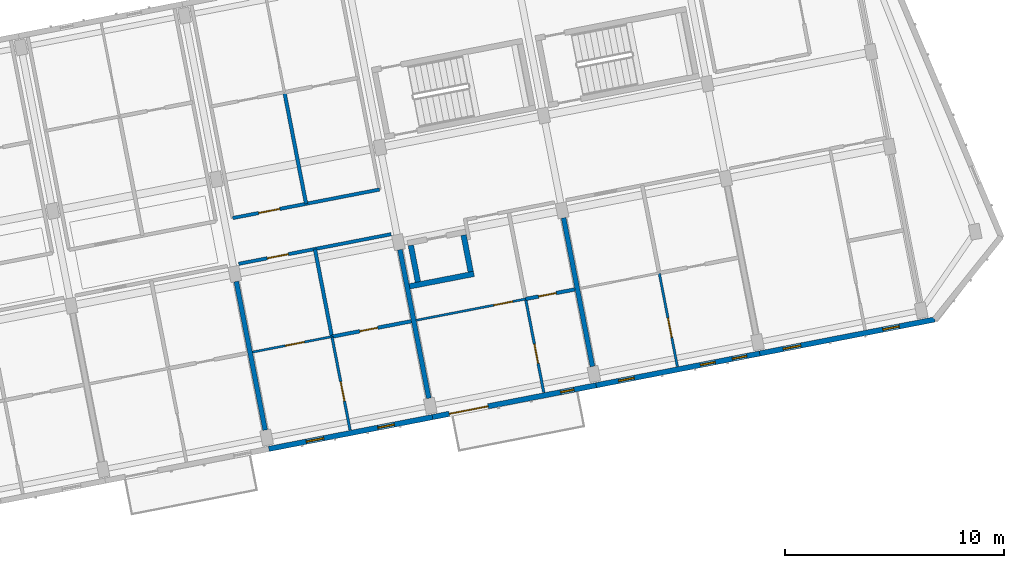
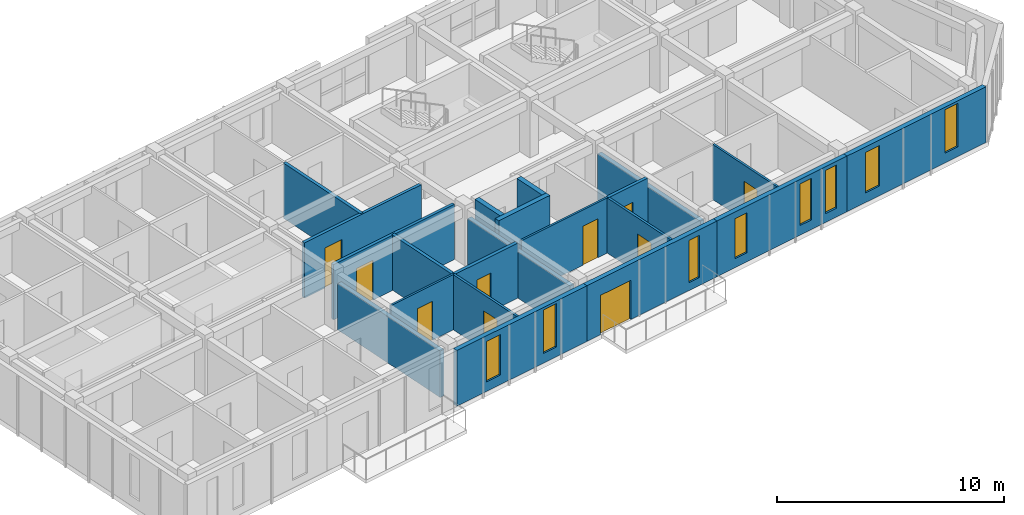
# One storey, part 31 of 74: 21 walls, 10 doors, 8 windows, 18 openings.
"""IFC4 building model written with IfcOpenShell, lengths in metres."""

from ifc_helpers import new_model, si_unit, direction, frame, frame_2d, origin, place, context, subcontext, project, spatial, rectangle, extrude, material, layer, layer_set, type_object, element, fill, save


model = new_model("IFC4")

# Units and contexts
model_context = context("Model", 3, precision=1e-05, world=origin(), true_north=direction((0.0, 1.0)))
body_context = subcontext(model_context, "Body", "Model", "MODEL_VIEW")
ifc_project = project(units=[si_unit("LENGTHUNIT", "METRE"), si_unit("AREAUNIT", "SQUARE_METRE"), si_unit("VOLUMEUNIT", "CUBIC_METRE"), si_unit("PLANEANGLEUNIT", "RADIAN"), si_unit("MASSUNIT", "GRAM", prefix="KILO")], contexts=[model_context])

# Site, building, storey
site_placement = place(None, origin())
site = spatial("IfcSite", under=ifc_project, at=site_placement, CompositionType="ELEMENT")
building_placement = place(site_placement, origin())
building = spatial("IfcBuilding", under=site, at=building_placement, Name="Kestramere Prow Commons", CompositionType="ELEMENT")
storey_placement = place(building_placement, frame((0.0, 0.0, 11.64990234375)))
storey = spatial("IfcBuildingStorey", under=building, at=storey_placement, Name="L03", CompositionType="ELEMENT", Elevation=11.64990234375)

# Wall, openings, windows
ifc_material_1 = material(Name="Fluoropolymer Standing-Seam Zinc-Aluminium Cladding", Category="aluminium")
ifc_layer_1 = layer(ifc_material_1, 0.239990234375)
ifc_layer_set_1 = layer_set([ifc_layer_1], Name="Fluoropolymer Standing-Seam Zinc-Aluminium Cladding")
wall_type_1 = type_object("IfcWallType", Name="EW-SEAM-240", PredefinedType="SOLIDWALL", material=ifc_layer_set_1)
wall_1_placement = place(storey_placement, frame((140.88134765625, 37.835205078125, 0.0), z_axis=(0.0, 0.0, 1.0), x_axis=(-0.981626422232, -0.190812911449, 0.0)))
wall_1 = element("IfcWall", 1, at=wall_1_placement, inside=storey, type_object=wall_type_1, Name="Block D L03 South Standing-Seam Wall 3", PredefinedType="SOLIDWALL", context=body_context, shape_type="SweptSolid", body=[
    extrude(rectangle(XDim=7.60009765625, YDim=0.239990234375, at=frame_2d((3.800048828125, 0.0))), origin(), (0.0, 0.0, 1.0), 3.0),
])
opening_1_placement = place(wall_1_placement, frame((1.781494140625, 0.0, 0.52001953125)))
opening_1 = element("IfcOpeningElement", 2, at=opening_1_placement, cuts=wall_1, Name="Opening WN-10", PredefinedType="OPENING", context=body_context, shape_type="SweptSolid", body=[
    extrude(rectangle(XDim=0.760009765625, YDim=2.340087890625, at=frame_2d((0.3798828125, 1.169921875))), frame((0.0, 0.135009765625, 0.0), z_axis=(0.0, -1.0, 0.0), x_axis=(1.0, 0.0, 0.0)), (0.0, 0.0, 1.0), 0.27001953125),
])
opening_2_placement = place(wall_1_placement, frame((5.047607421875, 0.0, 0.52001953125)))
opening_2 = element("IfcOpeningElement", 3, at=opening_2_placement, cuts=wall_1, Name="Opening WN-13", PredefinedType="OPENING", context=body_context, shape_type="SweptSolid", body=[
    extrude(rectangle(XDim=0.820068359375, YDim=2.179931640625, at=frame_2d((0.41015625, 1.08984375))), frame((0.0, 0.135009765625, 0.0), z_axis=(0.0, -1.0, 0.0), x_axis=(1.0, 0.0, 0.0)), (0.0, 0.0, 1.0), 0.27001953125),
])
ifc_material_2 = material(Name="Low-E Laminated Double Glazing", Category="glass")
window_type_1 = type_object("IfcWindowType", Name="WN-NAR-760A", PartitioningType="SINGLE_PANEL", PredefinedType="WINDOW", material=ifc_material_2)
window_1_placement = place(opening_1_placement, origin())
window_1 = element("IfcWindow", 4, at=window_1_placement, inside=storey, type_object=window_type_1, Name="WN-D-L03-S-2-00", OverallHeight=2.340087890625, OverallWidth=0.760009765625, PartitioningType="SINGLE_PANEL", PredefinedType="WINDOW", context=body_context, shape_type="SweptSolid", body=[
    extrude(rectangle(XDim=0.760009765625, YDim=2.340087890625, at=frame_2d((0.3798828125, 1.169921875))), frame((0.0, 0.030029296875, 0.0), z_axis=(0.0, -1.0, 0.0), x_axis=(1.0, 0.0, 0.0)), (0.0, 0.0, 1.0), 0.06005859375),
])
fill(opening_1, window_1)
window_type_2 = type_object("IfcWindowType", Name="WN-NAR-820A", PartitioningType="DOUBLE_PANEL_VERTICAL", PredefinedType="WINDOW", material=ifc_material_2)
window_2_placement = place(opening_2_placement, origin())
window_2 = element("IfcWindow", 5, at=window_2_placement, inside=storey, type_object=window_type_2, Name="WN-D-L03-S-2-10", OverallHeight=2.179931640625, OverallWidth=0.820068359375, PartitioningType="SINGLE_PANEL", PredefinedType="WINDOW", context=body_context, shape_type="SweptSolid", body=[
    extrude(rectangle(XDim=0.820068359375, YDim=2.179931640625, at=frame_2d((0.41015625, 1.08984375))), frame((0.0, 0.030029296875, 0.0), z_axis=(0.0, -1.0, 0.0), x_axis=(1.0, 0.0, 0.0)), (0.0, 0.0, 1.0), 0.06005859375),
])
fill(opening_2, window_2)

# Wall, openings, door, window
wall_2_placement = place(storey_placement, frame((148.341552734375, 39.28515625, 0.0), z_axis=(0.0, 0.0, 1.0), x_axis=(-0.981631269434, -0.190787973596, 0.0)))
wall_2 = element("IfcWall", 6, at=wall_2_placement, inside=storey, type_object=wall_type_1, Name="Block D L03 South Standing-Seam Wall 4", PredefinedType="SOLIDWALL", context=body_context, shape_type="SweptSolid", body=[
    extrude(rectangle(XDim=7.599853515625, YDim=0.239990234375, at=frame_2d((3.7998046875, 0.0))), origin(), (0.0, 0.0, 1.0), 3.0),
])
opening_3_placement = place(wall_2_placement, frame((5.01904296875, 0.0, 0.0)))
opening_3 = element("IfcOpeningElement", 7, at=opening_3_placement, cuts=wall_2, Name="Opening GD-BAL-02", PredefinedType="OPENING", context=body_context, shape_type="SweptSolid", body=[
    extrude(rectangle(XDim=1.800048828125, YDim=2.1201171875, at=frame_2d((0.89990234375, 1.06005859375))), frame((0.0, 0.135009765625, 0.0), z_axis=(0.0, -1.0, 0.0), x_axis=(1.0, 0.0, 0.0)), (0.0, 0.0, 1.0), 0.27001953125),
])
opening_4_placement = place(wall_2_placement, frame((1.030029296875, 0.0, 0.419921875)))
opening_4 = element("IfcOpeningElement", 8, at=opening_4_placement, cuts=wall_2, Name="Opening WN-03", PredefinedType="OPENING", context=body_context, shape_type="SweptSolid", body=[
    extrude(rectangle(XDim=0.6201171875, YDim=2.280029296875, at=frame_2d((0.31005859375, 1.14013671875))), frame((0.0, 0.135009765625, 0.0), z_axis=(0.0, -1.0, 0.0), x_axis=(1.0, 0.0, 0.0)), (0.0, 0.0, 1.0), 0.27001953125),
])
ifc_material_3 = material(Name="Thermally-Broken Anodised Aluminium Glazed", Category="aluminium")
door_type_1 = type_object("IfcDoorType", Name="GD-BAL-1800", OperationType="SLIDING_TO_LEFT", PredefinedType="DOOR", material=ifc_material_3)
door_1_placement = place(opening_3_placement, origin())
door_1 = element("IfcDoor", 9, at=door_1_placement, inside=storey, type_object=door_type_1, Name="Block D L03 Balcony Door 4", OperationType="SLIDING_TO_LEFT", OverallHeight=2.1201171875, OverallWidth=1.800048828125, PredefinedType="DOOR", context=body_context, shape_type="SweptSolid", body=[
    extrude(rectangle(XDim=1.800048828125, YDim=2.1201171875, at=frame_2d((0.89990234375, 1.06005859375))), frame((0.0, 0.02490234375, 0.0), z_axis=(0.0, -1.0, 0.0), x_axis=(1.0, 0.0, 0.0)), (0.0, 0.0, 1.0), 0.050048828125),
])
fill(opening_3, door_1)
window_type_3 = type_object("IfcWindowType", Name="WN-NAR-620A", PartitioningType="SINGLE_PANEL", PredefinedType="WINDOW", material=ifc_material_2)
window_3_placement = place(opening_4_placement, origin())
window_3 = element("IfcWindow", 10, at=window_3_placement, inside=storey, type_object=window_type_3, Name="WN-D-L03-SR-3", OverallHeight=2.280029296875, OverallWidth=0.6201171875, PartitioningType="SINGLE_PANEL", PredefinedType="WINDOW", context=body_context, shape_type="SweptSolid", body=[
    extrude(rectangle(XDim=0.6201171875, YDim=2.280029296875, at=frame_2d((0.31005859375, 1.14013671875))), frame((0.0, 0.030029296875, 0.0), z_axis=(0.0, -1.0, 0.0), x_axis=(1.0, 0.0, 0.0)), (0.0, 0.0, 1.0), 0.06005859375),
])
fill(opening_4, window_3)

# Wall, openings, windows
wall_3_placement = place(storey_placement, frame((155.802001953125, 40.7353515625, 0.0), z_axis=(0.0, 0.0, 1.0), x_axis=(-0.981626422232, -0.190812911449, 0.0)))
wall_3 = element("IfcWall", 11, at=wall_3_placement, inside=storey, type_object=wall_type_1, Name="Block D L03 South Standing-Seam Wall 5", PredefinedType="SOLIDWALL", context=body_context, shape_type="SweptSolid", body=[
    extrude(rectangle(XDim=7.60009765625, YDim=0.239990234375, at=frame_2d((3.800048828125, 0.0))), origin(), (0.0, 0.0, 1.0), 3.0),
])
opening_5_placement = place(wall_3_placement, frame((0.610107421875, 0.0, 0.47998046875)))
opening_5 = element("IfcOpeningElement", 12, at=opening_5_placement, cuts=wall_3, Name="Opening WN-05", PredefinedType="OPENING", context=body_context, shape_type="SweptSolid", body=[
    extrude(rectangle(XDim=0.659912109375, YDim=2.320068359375, at=frame_2d((0.330078125, 1.16015625))), frame((0.0, 0.135009765625, 0.0), z_axis=(0.0, -1.0, 0.0), x_axis=(1.0, 0.0, 0.0)), (0.0, 0.0, 1.0), 0.27001953125),
])
opening_6_placement = place(wall_3_placement, frame((2.072021484375, 0.0, 0.52001953125)))
opening_6 = element("IfcOpeningElement", 13, at=opening_6_placement, cuts=wall_3, Name="Opening WN-06", PredefinedType="OPENING", context=body_context, shape_type="SweptSolid", body=[
    extrude(rectangle(XDim=0.679931640625, YDim=2.239990234375, at=frame_2d((0.33984375, 1.1201171875))), frame((0.0, 0.135009765625, 0.0), z_axis=(0.0, -1.0, 0.0), x_axis=(1.0, 0.0, 0.0)), (0.0, 0.0, 1.0), 0.27001953125),
])
opening_7_placement = place(wall_3_placement, frame((5.836669921875, 0.0, 0.47998046875)))
opening_7 = element("IfcOpeningElement", 14, at=opening_7_placement, cuts=wall_3, Name="Opening WN-08", PredefinedType="OPENING", context=body_context, shape_type="SweptSolid", body=[
    extrude(rectangle(XDim=0.719970703125, YDim=2.159912109375, at=frame_2d((0.35986328125, 1.080078125))), frame((0.0, 0.135009765625, 0.0), z_axis=(0.0, -1.0, 0.0), x_axis=(1.0, 0.0, 0.0)), (0.0, 0.0, 1.0), 0.27001953125),
])
window_type_4 = type_object("IfcWindowType", Name="WN-NAR-660A", PartitioningType="SINGLE_PANEL", PredefinedType="WINDOW", material=ifc_material_2)
window_4_placement = place(opening_5_placement, origin())
window_4 = element("IfcWindow", 15, at=window_4_placement, inside=storey, type_object=window_type_4, Name="WN-D-L03-S-4-00", OverallHeight=2.320068359375, OverallWidth=0.659912109375, PartitioningType="SINGLE_PANEL", PredefinedType="WINDOW", context=body_context, shape_type="SweptSolid", body=[
    extrude(rectangle(XDim=0.659912109375, YDim=2.320068359375, at=frame_2d((0.330078125, 1.16015625))), frame((0.0, 0.030029296875, 0.0), z_axis=(0.0, -1.0, 0.0), x_axis=(1.0, 0.0, 0.0)), (0.0, 0.0, 1.0), 0.06005859375),
])
fill(opening_5, window_4)
window_type_5 = type_object("IfcWindowType", Name="WN-NAR-680A", PartitioningType="SINGLE_PANEL", PredefinedType="WINDOW", material=ifc_material_2)
window_5_placement = place(opening_6_placement, origin())
window_5 = element("IfcWindow", 16, at=window_5_placement, inside=storey, type_object=window_type_5, Name="WN-D-L03-S-4-01", OverallHeight=2.239990234375, OverallWidth=0.679931640625, PartitioningType="SINGLE_PANEL", PredefinedType="WINDOW", context=body_context, shape_type="SweptSolid", body=[
    extrude(rectangle(XDim=0.679931640625, YDim=2.239990234375, at=frame_2d((0.33984375, 1.1201171875))), frame((0.0, 0.030029296875, 0.0), z_axis=(0.0, -1.0, 0.0), x_axis=(1.0, 0.0, 0.0)), (0.0, 0.0, 1.0), 0.06005859375),
])
fill(opening_6, window_5)
window_type_6 = type_object("IfcWindowType", Name="WN-NAR-720A", PartitioningType="SINGLE_PANEL", PredefinedType="WINDOW", material=ifc_material_2)
window_6_placement = place(opening_7_placement, origin())
window_6 = element("IfcWindow", 17, at=window_6_placement, inside=storey, type_object=window_type_6, Name="WN-D-L03-S-4-10", OverallHeight=2.159912109375, OverallWidth=0.719970703125, PartitioningType="SINGLE_PANEL", PredefinedType="WINDOW", context=body_context, shape_type="SweptSolid", body=[
    extrude(rectangle(XDim=0.719970703125, YDim=2.159912109375, at=frame_2d((0.35986328125, 1.080078125))), frame((0.0, 0.030029296875, 0.0), z_axis=(0.0, -1.0, 0.0), x_axis=(1.0, 0.0, 0.0)), (0.0, 0.0, 1.0), 0.06005859375),
])
fill(opening_7, window_6)

wall_4_placement = place(storey_placement, frame((163.77783203125, 42.28564453125, 0.0), z_axis=(0.0, 0.0, 1.0), x_axis=(-0.981628367112, -0.190802905848, 0.0)))
wall_4 = element("IfcWall", 18, at=wall_4_placement, inside=storey, type_object=wall_type_1, Name="Block D L03 South Standing-Seam Wall 6", PredefinedType="SOLIDWALL", context=body_context, shape_type="SweptSolid", body=[
    extrude(rectangle(XDim=8.125, YDim=0.239990234375, at=frame_2d((4.0625, 0.0))), origin(), (0.0, 0.0, 1.0), 3.0),
])
opening_8_placement = place(wall_4_placement, frame((1.646240234375, 0.0, 0.52001953125)))
opening_8 = element("IfcOpeningElement", 19, at=opening_8_placement, cuts=wall_4, Name="Opening WN-10", PredefinedType="OPENING", context=body_context, shape_type="SweptSolid", body=[
    extrude(rectangle(XDim=0.760009765625, YDim=2.340087890625, at=frame_2d((0.3798828125, 1.169921875))), frame((0.0, 0.135009765625, 0.0), z_axis=(0.0, -1.0, 0.0), x_axis=(1.0, 0.0, 0.0)), (0.0, 0.0, 1.0), 0.27001953125),
])
opening_9_placement = place(wall_4_placement, frame((6.218505859375, 0.0, 0.52001953125)))
opening_9 = element("IfcOpeningElement", 20, at=opening_9_placement, cuts=wall_4, Name="Opening WN-13", PredefinedType="OPENING", context=body_context, shape_type="SweptSolid", body=[
    extrude(rectangle(XDim=0.820068359375, YDim=2.179931640625, at=frame_2d((0.41015625, 1.08984375))), frame((0.0, 0.135009765625, 0.0), z_axis=(0.0, -1.0, 0.0), x_axis=(1.0, 0.0, 0.0)), (0.0, 0.0, 1.0), 0.27001953125),
])
window_7_placement = place(opening_8_placement, origin())
window_7 = element("IfcWindow", 21, at=window_7_placement, inside=storey, type_object=window_type_1, Name="WN-D-L03-S-5-00", OverallHeight=2.340087890625, OverallWidth=0.760009765625, PartitioningType="SINGLE_PANEL", PredefinedType="WINDOW", context=body_context, shape_type="SweptSolid", body=[
    extrude(rectangle(XDim=0.760009765625, YDim=2.340087890625, at=frame_2d((0.3798828125, 1.169921875))), frame((0.0, 0.030029296875, 0.0), z_axis=(0.0, -1.0, 0.0), x_axis=(1.0, 0.0, 0.0)), (0.0, 0.0, 1.0), 0.06005859375),
])
fill(opening_8, window_7)
window_8_placement = place(opening_9_placement, origin())
window_8 = element("IfcWindow", 22, at=window_8_placement, inside=storey, type_object=window_type_2, Name="WN-D-L03-S-5-10", OverallHeight=2.179931640625, OverallWidth=0.820068359375, PartitioningType="SINGLE_PANEL", PredefinedType="WINDOW", context=body_context, shape_type="SweptSolid", body=[
    extrude(rectangle(XDim=0.820068359375, YDim=2.179931640625, at=frame_2d((0.41015625, 1.08984375))), frame((0.0, 0.030029296875, 0.0), z_axis=(0.0, -1.0, 0.0), x_axis=(1.0, 0.0, 0.0)), (0.0, 0.0, 1.0), 0.06005859375),
])
fill(opening_9, window_8)

# Wall, opening, door
ifc_material_4 = material(Name="Fire-Rated Calcium Silicate Wall")
ifc_layer_2 = layer(ifc_material_4, 0.155029296875)
ifc_layer_set_2 = layer_set([ifc_layer_2], Name="Fire-Rated Calcium Silicate Wall")
wall_type_2 = type_object("IfcWallType", Name="W-FIRE-150", PredefinedType="PARTITIONING", material=ifc_layer_set_2)
wall_5_placement = place(storey_placement, frame((132.045654296875, 44.822509765625, 0.0), z_axis=(0.0, 0.0, 1.0), x_axis=(0.9816234647, 0.190828125677, 0.0)))
wall_5 = element("IfcWall", 23, at=wall_5_placement, inside=storey, type_object=wall_type_2, Name="Interior Partition PW-D-L03-CS-2", PredefinedType="PARTITIONING", context=body_context, shape_type="SweptSolid", body=[
    extrude(rectangle(XDim=7.080078125, YDim=0.155029296875, at=frame_2d((3.5400390625, 0.0))), origin(), (0.0, 0.0, 1.0), 2.97021484375),
])
opening_10_placement = place(wall_5_placement, frame((1.330078125, 0.0, 0.0)))
opening_10 = element("IfcOpeningElement", 24, at=opening_10_placement, cuts=wall_5, Name="Opening ID-04", PredefinedType="OPENING", context=body_context, shape_type="SweptSolid", body=[
    extrude(rectangle(XDim=0.97998046875, YDim=2.14990234375, at=frame_2d((0.489990234375, 1.074951171875))), frame((0.0, 0.092529296875, 0.0), z_axis=(0.0, -1.0, 0.0), x_axis=(1.0, 0.0, 0.0)), (0.0, 0.0, 1.0), 0.18505859375),
])
ifc_material_5 = material(Name="Hardwood Fire-Rated Flat Entrance Door", Category="wood")
door_type_2 = type_object("IfcDoorType", Name="FD-ENT-01", OperationType="NOTDEFINED", PredefinedType="DOOR", material=ifc_material_5)
door_2_placement = place(opening_10_placement, origin())
door_2 = element("IfcDoor", 25, at=door_2_placement, inside=storey, type_object=door_type_2, Name="Interior Door DR-D-L03-ENT-S2", OperationType="SINGLE_SWING_RIGHT", OverallHeight=2.14990234375, OverallWidth=0.97998046875, PredefinedType="DOOR", context=body_context, shape_type="SweptSolid", body=[
    extrude(rectangle(XDim=0.97998046875, YDim=2.14990234375, at=frame_2d((0.489990234375, 1.074951171875))), frame((0.0, 0.02490234375, 0.0), z_axis=(0.0, -1.0, 0.0), x_axis=(1.0, 0.0, 0.0)), (0.0, 0.0, 1.0), 0.050048828125),
])
fill(opening_10, door_2)

wall_6_placement = place(storey_placement, frame((131.7724609375, 46.90869140625, 0.0), z_axis=(0.0, 0.0, 1.0), x_axis=(0.981622468528, 0.190833249935, 0.0)))
wall_6 = element("IfcWall", 26, at=wall_6_placement, inside=storey, type_object=wall_type_2, Name="Interior Partition PW-D-L03-CN-2", PredefinedType="PARTITIONING", context=body_context, shape_type="SweptSolid", body=[
    extrude(rectangle(XDim=6.820068359375, YDim=0.155029296875, at=frame_2d((3.41015625, 0.0))), origin(), (0.0, 0.0, 1.0), 2.97021484375),
])
opening_11_placement = place(wall_6_placement, frame((1.205078125, 0.0, 0.0)))
opening_11 = element("IfcOpeningElement", 27, at=opening_11_placement, cuts=wall_6, Name="Opening ID-04", PredefinedType="OPENING", context=body_context, shape_type="SweptSolid", body=[
    extrude(rectangle(XDim=0.97998046875, YDim=2.14990234375, at=frame_2d((0.489990234375, 1.074951171875))), frame((0.0, 0.092529296875, 0.0), z_axis=(0.0, -1.0, 0.0), x_axis=(1.0, 0.0, 0.0)), (0.0, 0.0, 1.0), 0.18505859375),
])
door_3_placement = place(opening_11_placement, origin())
door_3 = element("IfcDoor", 28, at=door_3_placement, inside=storey, type_object=door_type_2, Name="Interior Door DR-D-L03-ENT-N2", OperationType="SINGLE_SWING_RIGHT", OverallHeight=2.14990234375, OverallWidth=0.97998046875, PredefinedType="DOOR", context=body_context, shape_type="SweptSolid", body=[
    extrude(rectangle(XDim=0.97998046875, YDim=2.14990234375, at=frame_2d((0.489990234375, 1.074951171875))), frame((0.0, 0.02490234375, 0.0), z_axis=(0.0, -1.0, 0.0), x_axis=(1.0, 0.0, 0.0)), (0.0, 0.0, 1.0), 0.050048828125),
])
fill(opening_11, door_3)

# Walls
ifc_material_6 = material(Name="Concrete C40/50", Category="concrete")
ifc_layer_3 = layer(ifc_material_6, 0.25)
ifc_layer_set_3 = layer_set([ifc_layer_3], Name="Concrete C40/50")
wall_type_3 = type_object("IfcWallType", Name="W-HS-250", PredefinedType="SHEAR", material=ifc_layer_set_3)
wall_7_placement = place(storey_placement, frame((139.8349609375, 43.794921875, 0.0), z_axis=(0.0, 0.0, 1.0), x_axis=(0.981624737535, 0.190821578075, 0.0)))
element("IfcWall", 29, at=wall_7_placement, inside=storey, type_object=wall_type_3, Name="Block D L03 Household Shelter South Wall", PredefinedType="SHEAR", context=body_context, shape_type="SweptSolid", body=[
    extrude(rectangle(XDim=2.989990234375, YDim=0.25, at=frame_2d((1.4951171875, 0.0))), origin(), (0.0, 0.0, 1.0), 3.25),
])
for number, where, z_axis, x_axis, name in (
    (30, (140.21826171875, 43.996826171875, 0.0), (0.0, 0.0, 1.0), (-0.190727425199, 0.981643035567, 0.0), "Block D L03 Household Shelter W Wall"),
    (31, (142.623291015625, 44.46435546875, 0.0), (0.0, 0.0, 1.0), (-0.190727425199, 0.981643035567, 0.0), "Block D L03 Household Shelter E Wall"),
):
    element("IfcWall", number, at=place(storey_placement, frame(where, z_axis=z_axis, x_axis=x_axis)), inside=storey, type_object=wall_type_3, Name=name, PredefinedType="SHEAR", context=body_context, shape_type="SweptSolid", body=[
        extrude(rectangle(XDim=1.699951171875, YDim=0.25, at=frame_2d((0.85009765625, 0.0))), origin(), (0.0, 0.0, 1.0), 3.25),
    ])

# Wall, opening, door
ifc_material_7 = material(Name="Gypsum Acoustic Drywall")
ifc_layer_4 = layer(ifc_material_7, 0.10009765625)
ifc_layer_set_4 = layer_set([ifc_layer_4], Name="Gypsum Acoustic Drywall")
wall_type_4 = type_object("IfcWallType", Name="W-PART-100", PredefinedType="PARTITIONING", material=ifc_layer_set_4)
wall_8_placement = place(storey_placement, frame((132.679931640625, 40.799560546875, 0.0), z_axis=(0.0, 0.0, 1.0), x_axis=(0.981626422232, 0.190812911449, 0.0)))
wall_8 = element("IfcWall", 32, at=wall_8_placement, inside=storey, type_object=wall_type_4, Name="Interior Partition PW-D-L03-MIDS1-2", PredefinedType="PARTITIONING", context=body_context, shape_type="SweptSolid", body=[
    extrude(rectangle(XDim=3.684814453125, YDim=0.10009765625, at=frame_2d((1.84228515625, 0.0))), origin(), (0.0, 0.0, 1.0), 2.97021484375),
])
opening_12_placement = place(wall_8_placement, frame((1.52490234375, 0.0, 0.0)))
opening_12 = element("IfcOpeningElement", 33, at=opening_12_placement, cuts=wall_8, Name="Opening ID-10", PredefinedType="OPENING", context=body_context, shape_type="SweptSolid", body=[
    extrude(rectangle(XDim=0.8798828125, YDim=2.10009765625, at=frame_2d((0.43994140625, 1.050048828125))), frame((0.0, 0.06494140625, 0.0), z_axis=(0.0, -1.0, 0.0), x_axis=(1.0, 0.0, 0.0)), (0.0, 0.0, 1.0), 0.130126953125),
])
ifc_material_8 = material(Name="Engineered Timber Bedroom Door", Category="wood")
door_type_3 = type_object("IfcDoorType", Name="D-RM-03", OperationType="NOTDEFINED", PredefinedType="DOOR", material=ifc_material_8)
door_4_placement = place(opening_12_placement, origin())
door_4 = element("IfcDoor", 34, at=door_4_placement, inside=storey, type_object=door_type_3, Name="Interior Door DR-D-L03-KL-S2", OperationType="SINGLE_SWING_RIGHT", OverallHeight=2.10009765625, OverallWidth=0.8798828125, PredefinedType="DOOR", context=body_context, shape_type="SweptSolid", body=[
    extrude(rectangle(XDim=0.8798828125, YDim=2.10009765625, at=frame_2d((0.43994140625, 1.050048828125))), frame((0.0, 0.02490234375, 0.0), z_axis=(0.0, -1.0, 0.0), x_axis=(1.0, 0.0, 0.0)), (0.0, 0.0, 1.0), 0.050048828125),
])
fill(opening_12, door_4)

wall_9_placement = place(storey_placement, frame((140.140380859375, 42.249755859375, 0.0), z_axis=(0.0, 0.0, 1.0), x_axis=(0.98162014174, 0.190845218255, 0.0)))
wall_9 = element("IfcWall", 35, at=wall_9_placement, inside=storey, type_object=wall_type_4, Name="Interior Partition PW-D-L03-MIDS1-3", PredefinedType="PARTITIONING", context=body_context, shape_type="SweptSolid", body=[
    extrude(rectangle(XDim=5.079833984375, YDim=0.10009765625, at=frame_2d((2.5400390625, 0.0))), origin(), (0.0, 0.0, 1.0), 2.97021484375),
])
opening_13_placement = place(wall_9_placement, frame((3.594970703125, 0.0, 0.0)))
opening_13 = element("IfcOpeningElement", 36, at=opening_13_placement, cuts=wall_9, Name="Opening ID-10", PredefinedType="OPENING", context=body_context, shape_type="SweptSolid", body=[
    extrude(rectangle(XDim=0.8798828125, YDim=2.10009765625, at=frame_2d((0.43994140625, 1.050048828125))), frame((0.0, 0.06494140625, 0.0), z_axis=(0.0, -1.0, 0.0), x_axis=(1.0, 0.0, 0.0)), (0.0, 0.0, 1.0), 0.130126953125),
])
door_5_placement = place(opening_13_placement, origin())
door_5 = element("IfcDoor", 37, at=door_5_placement, inside=storey, type_object=door_type_3, Name="Interior Door DR-D-L03-KL-S3", OperationType="SINGLE_SWING_RIGHT", OverallHeight=2.10009765625, OverallWidth=0.8798828125, PredefinedType="DOOR", context=body_context, shape_type="SweptSolid", body=[
    extrude(rectangle(XDim=0.8798828125, YDim=2.10009765625, at=frame_2d((0.43994140625, 1.050048828125))), frame((0.0, 0.02490234375, 0.0), z_axis=(0.0, -1.0, 0.0), x_axis=(1.0, 0.0, 0.0)), (0.0, 0.0, 1.0), 0.050048828125),
])
fill(opening_13, door_5)

ifc_layer_5 = layer(ifc_material_7, 0.110107421875)
ifc_layer_set_5 = layer_set([ifc_layer_5], Name="Gypsum Acoustic Drywall")
wall_type_5 = type_object("IfcWallType", Name="W-PART-110", PredefinedType="PARTITIONING", material=ifc_layer_set_5)
wall_10_placement = place(storey_placement, frame((152.046142578125, 40.142822265625, 0.0), z_axis=(0.0, 0.0, 1.0), x_axis=(-0.190812443151, 0.981626513262, 0.0)))
wall_10 = element("IfcWall", 38, at=wall_10_placement, inside=storey, type_object=wall_type_5, Name="Interior Partition PW-D-L03-LB-S4", PredefinedType="PARTITIONING", context=body_context, shape_type="SweptSolid", body=[
    extrude(rectangle(XDim=4.340087890625, YDim=0.110107421875, at=frame_2d((2.169921875, 0.0))), origin(), (0.0, 0.0, 1.0), 2.97021484375),
])
opening_14_placement = place(wall_10_placement, frame((1.35009765625, 0.0, 0.0)))
opening_14 = element("IfcOpeningElement", 39, at=opening_14_placement, cuts=wall_10, Name="Opening ID-08", PredefinedType="OPENING", context=body_context, shape_type="SweptSolid", body=[
    extrude(rectangle(XDim=0.89990234375, YDim=2.10009765625, at=frame_2d((0.449951171875, 1.050048828125))), frame((0.0, 0.070068359375, 0.0), z_axis=(0.0, -1.0, 0.0), x_axis=(1.0, 0.0, 0.0)), (0.0, 0.0, 1.0), 0.14013671875),
])
ifc_material_9 = material(Name="Engineered Timber Flush Door", Category="wood")
door_type_4 = type_object("IfcDoorType", Name="D-RM-01", OperationType="NOTDEFINED", PredefinedType="DOOR", material=ifc_material_9)
door_6_placement = place(opening_14_placement, origin())
door_6 = element("IfcDoor", 40, at=door_6_placement, inside=storey, type_object=door_type_4, Name="Interior Door DR-D-L03-BED-S4", OperationType="SINGLE_SWING_LEFT", OverallHeight=2.10009765625, OverallWidth=0.89990234375, PredefinedType="DOOR", context=body_context, shape_type="SweptSolid", body=[
    extrude(rectangle(XDim=0.89990234375, YDim=2.10009765625, at=frame_2d((0.449951171875, 1.050048828125))), frame((0.0, 0.02490234375, 0.0), z_axis=(0.0, -1.0, 0.0), x_axis=(1.0, 0.0, 0.0)), (0.0, 0.0, 1.0), 0.050048828125),
])
fill(opening_14, door_6)

ifc_material_10 = material(Name="Lightweight Blockwork and Plaster", Category="masonry")
ifc_layer_6 = layer(ifc_material_10, 0.1201171875)
ifc_layer_set_6 = layer_set([ifc_layer_6], Name="Lightweight Blockwork and Plaster")
wall_type_6 = type_object("IfcWallType", Name="W-PART-120", PredefinedType="PARTITIONING", material=ifc_layer_set_6)
wall_11_placement = place(storey_placement, frame((137.125244140625, 37.242431640625, 0.0), z_axis=(0.0, 0.0, 1.0), x_axis=(-0.190812443151, 0.981626513262, 0.0)))
wall_11 = element("IfcWall", 41, at=wall_11_placement, inside=storey, type_object=wall_type_6, Name="Interior Partition PW-D-L03-LB-S2", PredefinedType="PARTITIONING", context=body_context, shape_type="SweptSolid", body=[
    extrude(rectangle(XDim=4.340087890625, YDim=0.1201171875, at=frame_2d((2.169921875, 0.0))), origin(), (0.0, 0.0, 1.0), 2.97021484375),
])
opening_15_placement = place(wall_11_placement, frame((1.35009765625, 0.0, 0.0)))
opening_15 = element("IfcOpeningElement", 42, at=opening_15_placement, cuts=wall_11, Name="Opening ID-08", PredefinedType="OPENING", context=body_context, shape_type="SweptSolid", body=[
    extrude(rectangle(XDim=0.89990234375, YDim=2.10009765625, at=frame_2d((0.449951171875, 1.050048828125))), frame((0.0, 0.074951171875, 0.0), z_axis=(0.0, -1.0, 0.0), x_axis=(1.0, 0.0, 0.0)), (0.0, 0.0, 1.0), 0.150146484375),
])
door_7_placement = place(opening_15_placement, origin())
door_7 = element("IfcDoor", 43, at=door_7_placement, inside=storey, type_object=door_type_4, Name="Interior Door DR-D-L03-BED-S2", OperationType="SINGLE_SWING_LEFT", OverallHeight=2.10009765625, OverallWidth=0.89990234375, PredefinedType="DOOR", context=body_context, shape_type="SweptSolid", body=[
    extrude(rectangle(XDim=0.89990234375, YDim=2.10009765625, at=frame_2d((0.449951171875, 1.050048828125))), frame((0.0, 0.02490234375, 0.0), z_axis=(0.0, -1.0, 0.0), x_axis=(1.0, 0.0, 0.0)), (0.0, 0.0, 1.0), 0.050048828125),
])
fill(opening_15, door_7)

wall_12_placement = place(storey_placement, frame((145.955078125, 38.958984375, 0.0), z_axis=(0.0, 0.0, 1.0), x_axis=(-0.190812443151, 0.981626513262, 0.0)))
wall_12 = element("IfcWall", 44, at=wall_12_placement, inside=storey, type_object=wall_type_6, Name="Interior Partition PW-D-L03-LB-S3", PredefinedType="PARTITIONING", context=body_context, shape_type="SweptSolid", body=[
    extrude(rectangle(XDim=4.340087890625, YDim=0.1201171875, at=frame_2d((2.169921875, 0.0))), origin(), (0.0, 0.0, 1.0), 2.97021484375),
])
opening_16_placement = place(wall_12_placement, frame((1.35009765625, 0.0, 0.0)))
opening_16 = element("IfcOpeningElement", 45, at=opening_16_placement, cuts=wall_12, Name="Opening ID-08", PredefinedType="OPENING", context=body_context, shape_type="SweptSolid", body=[
    extrude(rectangle(XDim=0.89990234375, YDim=2.10009765625, at=frame_2d((0.449951171875, 1.050048828125))), frame((0.0, 0.074951171875, 0.0), z_axis=(0.0, -1.0, 0.0), x_axis=(1.0, 0.0, 0.0)), (0.0, 0.0, 1.0), 0.150146484375),
])
door_8_placement = place(opening_16_placement, origin())
door_8 = element("IfcDoor", 46, at=door_8_placement, inside=storey, type_object=door_type_4, Name="Interior Door DR-D-L03-BED-S3", OperationType="SINGLE_SWING_RIGHT", OverallHeight=2.10009765625, OverallWidth=0.89990234375, PredefinedType="DOOR", context=body_context, shape_type="SweptSolid", body=[
    extrude(rectangle(XDim=0.89990234375, YDim=2.10009765625, at=frame_2d((0.449951171875, 1.050048828125))), frame((0.0, 0.02490234375, 0.0), z_axis=(0.0, -1.0, 0.0), x_axis=(1.0, 0.0, 0.0)), (0.0, 0.0, 1.0), 0.050048828125),
])
fill(opening_16, door_8)

ifc_material_11 = material(Name="Waterproof Sanitary Masonry Wall", Category="masonry")
ifc_layer_7 = layer(ifc_material_11, 0.1650390625)
ifc_layer_set_7 = layer_set([ifc_layer_7], Name="Waterproof Sanitary Masonry Wall")
wall_type_7 = type_object("IfcWallType", Name="W-PLUMB-150", PredefinedType="PLUMBINGWALL", material=ifc_layer_set_7)
wall_13_placement = place(storey_placement, frame((136.297119140625, 41.502685546875, 0.0), z_axis=(0.0, 0.0, 1.0), x_axis=(0.981628834294, 0.190800502313, 0.0)))
wall_13 = element("IfcWall", 47, at=wall_13_placement, inside=storey, type_object=wall_type_7, Name="Interior Partition PW-D-L03-MIDS2-2", PredefinedType="PLUMBINGWALL", context=body_context, shape_type="SweptSolid", body=[
    extrude(rectangle(XDim=3.68505859375, YDim=0.1650390625, at=frame_2d((1.842529296875, 0.0))), origin(), (0.0, 0.0, 1.0), 2.97021484375),
])
opening_17_placement = place(wall_13_placement, frame((1.300048828125, 0.0, 0.0)))
opening_17 = element("IfcOpeningElement", 48, at=opening_17_placement, cuts=wall_13, Name="Opening ID-11", PredefinedType="OPENING", context=body_context, shape_type="SweptSolid", body=[
    extrude(rectangle(XDim=0.820068359375, YDim=2.080078125, at=frame_2d((0.41015625, 1.0400390625))), frame((0.0, 0.097412109375, 0.0), z_axis=(0.0, -1.0, 0.0), x_axis=(1.0, 0.0, 0.0)), (0.0, 0.0, 1.0), 0.195068359375),
])
ifc_material_12 = material(Name="Moisture-Resistant Timber Bathroom Door", Category="wood")
door_type_5 = type_object("IfcDoorType", Name="D-BT-01", OperationType="NOTDEFINED", PredefinedType="DOOR", material=ifc_material_12)
door_9_placement = place(opening_17_placement, origin())
door_9 = element("IfcDoor", 49, at=door_9_placement, inside=storey, type_object=door_type_5, Name="Interior Door DR-D-L03-BTH-S2", OperationType="SINGLE_SWING_LEFT", OverallHeight=2.080078125, OverallWidth=0.820068359375, PredefinedType="DOOR", context=body_context, shape_type="SweptSolid", body=[
    extrude(rectangle(XDim=0.820068359375, YDim=2.080078125, at=frame_2d((0.41015625, 1.0400390625))), frame((0.0, 0.02490234375, 0.0), z_axis=(0.0, -1.0, 0.0), x_axis=(1.0, 0.0, 0.0)), (0.0, 0.0, 1.0), 0.050048828125),
])
fill(opening_17, door_9)

# Wall
wall_14_placement = place(storey_placement, frame((136.297119140625, 41.502685546875, 0.0), z_axis=(0.0, 0.0, 1.0), x_axis=(-0.190807044121, 0.981627562731, 0.0)))
element("IfcWall", 50, at=wall_14_placement, inside=storey, type_object=wall_type_7, Name="Interior Partition PW-D-L03-KB-S2", PredefinedType="PLUMBINGWALL", context=body_context, shape_type="SweptSolid", body=[
    extrude(rectangle(XDim=4.070068359375, YDim=0.1650390625, at=frame_2d((2.03515625, 0.0))), origin(), (0.0, 0.0, 1.0), 2.97021484375),
])

# Wall, opening, door
wall_15_placement = place(storey_placement, frame((145.126953125, 43.21923828125, 0.0), z_axis=(0.0, 0.0, 1.0), x_axis=(0.981644229922, 0.190721277946, 0.0)))
wall_15 = element("IfcWall", 51, at=wall_15_placement, inside=storey, type_object=wall_type_7, Name="Interior Partition PW-D-L03-MIDS2-3", PredefinedType="PLUMBINGWALL", context=body_context, shape_type="SweptSolid", body=[
    extrude(rectangle(XDim=2.2900390625, YDim=0.1650390625, at=frame_2d((1.14501953125, 0.0))), origin(), (0.0, 0.0, 1.0), 2.97021484375),
])
opening_18_placement = place(wall_15_placement, frame((0.60205078125, 0.0, 0.0)))
opening_18 = element("IfcOpeningElement", 52, at=opening_18_placement, cuts=wall_15, Name="Opening ID-11", PredefinedType="OPENING", context=body_context, shape_type="SweptSolid", body=[
    extrude(rectangle(XDim=0.820068359375, YDim=2.080078125, at=frame_2d((0.41015625, 1.0400390625))), frame((0.0, 0.097412109375, 0.0), z_axis=(0.0, -1.0, 0.0), x_axis=(1.0, 0.0, 0.0)), (0.0, 0.0, 1.0), 0.195068359375),
])
door_10_placement = place(opening_18_placement, origin())
door_10 = element("IfcDoor", 53, at=door_10_placement, inside=storey, type_object=door_type_5, Name="Interior Door DR-D-L03-BTH-S3", OperationType="SINGLE_SWING_LEFT", OverallHeight=2.080078125, OverallWidth=0.820068359375, PredefinedType="DOOR", context=body_context, shape_type="SweptSolid", body=[
    extrude(rectangle(XDim=0.820068359375, YDim=2.080078125, at=frame_2d((0.41015625, 1.0400390625))), frame((0.0, 0.02490234375, 0.0), z_axis=(0.0, -1.0, 0.0), x_axis=(1.0, 0.0, 0.0)), (0.0, 0.0, 1.0), 0.050048828125),
])
fill(opening_18, door_10)

# Walls
wall_16_placement = place(storey_placement, frame((135.119873046875, 47.559326171875, 0.0), z_axis=(0.0, 0.0, 1.0), x_axis=(-0.190783877533, 0.981632065528, 0.0)))
element("IfcWall", 54, at=wall_16_placement, inside=storey, type_object=wall_type_7, Name="Interior Partition PW-D-L03-KB-N2", PredefinedType="PLUMBINGWALL", context=body_context, shape_type="SweptSolid", body=[
    extrude(rectangle(XDim=5.18017578125, YDim=0.1650390625, at=frame_2d((2.590087890625, 0.0))), origin(), (0.0, 0.0, 1.0), 2.97021484375),
])
ifc_material_13 = material(Name="Precast concrete C40/50", Category="concrete")
ifc_layer_8 = layer(ifc_material_13, 0.219970703125)
ifc_layer_set_8 = layer_set([ifc_layer_8], Name="Precast concrete C40/50")
wall_type_8 = type_object("IfcWallType", Name="W-XWALL-220", PredefinedType="SHEAR", material=ifc_layer_set_8)
for number, where, z_axis, x_axis, name in (
    (55, (133.25390625, 37.243896484375, 0.0), (0.0, 0.0, 1.0), (-0.190819465253, 0.981625148252, 0.0), "Block D L03 Precast Cross-Wall 2"),
    (56, (140.71435546875, 38.694091796875, 0.0), (0.0, 0.0, 1.0), (-0.190819465253, 0.981625148252, 0.0), "Block D L03 Precast Cross-Wall 3"),
):
    element("IfcWall", number, at=place(storey_placement, frame(where, z_axis=z_axis, x_axis=x_axis)), inside=storey, type_object=wall_type_8, Name=name, PredefinedType="SHEAR", context=body_context, shape_type="SweptSolid", body=[
        extrude(rectangle(XDim=6.89990234375, YDim=0.219970703125, at=frame_2d((3.449951171875, 0.0))), origin(), (0.0, 0.0, 1.0), 2.5),
    ])
wall_17_placement = place(storey_placement, frame((148.1748046875, 40.14404296875, 0.0), z_axis=(0.0, 0.0, 1.0), x_axis=(-0.190812837813, 0.981626436546, 0.0)))
element("IfcWall", 57, at=wall_17_placement, inside=storey, type_object=wall_type_8, Name="Block D L03 Precast Cross-Wall 4", PredefinedType="SHEAR", context=body_context, shape_type="SweptSolid", body=[
    extrude(rectangle(XDim=6.900146484375, YDim=0.219970703125, at=frame_2d((3.4501953125, 0.0))), origin(), (0.0, 0.0, 1.0), 2.5),
])

save(model, "model.ifc")
